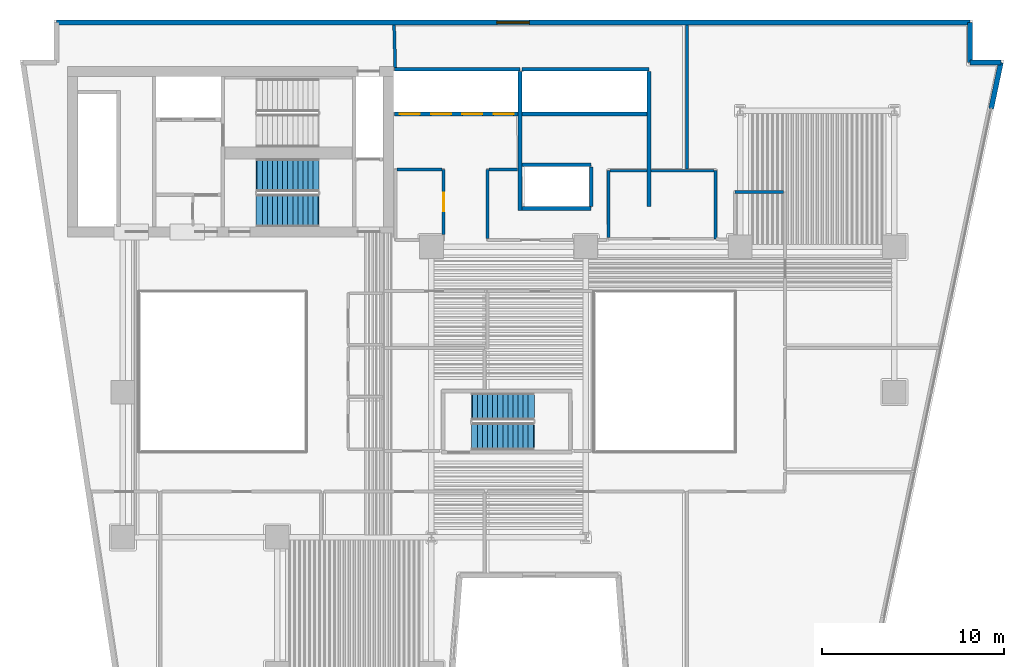
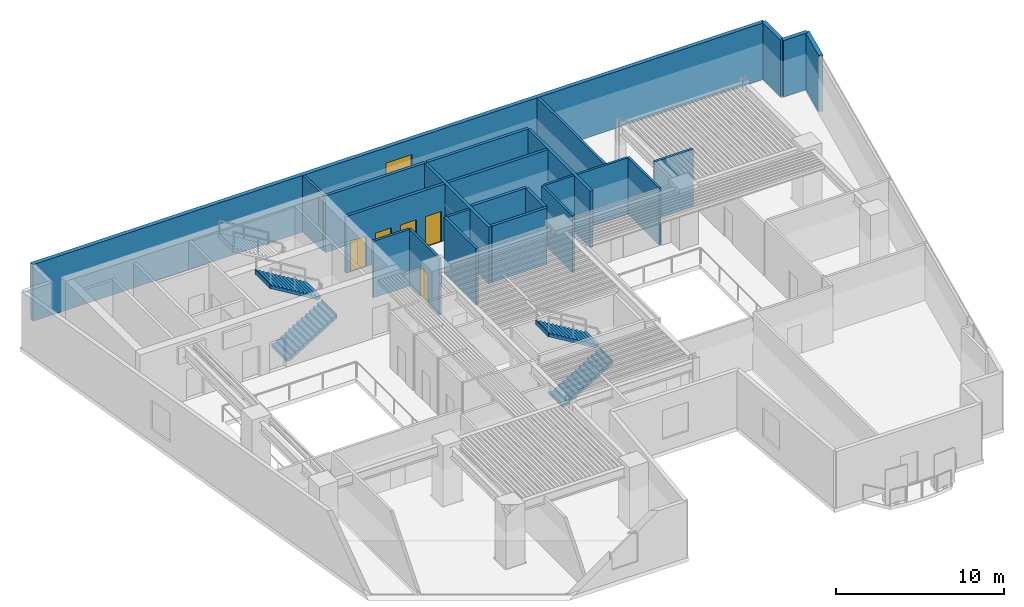
# One storey, part 6 of 12: 24 walls, 5 doors, 4 stair flights, 1 window, 6 openings, 2 elements without a shape of their own.
"""IFC4 building model written with IfcOpenShell, lengths in metres."""

from ifc_helpers import new_model, si_unit, direction, frame, frame_2d, origin, place, context, subcontext, project, spatial, polyline, rectangle, outline, extrude, material, layer, layer_set, type_object, element, fill, aggregate, save


model = new_model("IFC4")

# Units and contexts
model_context = context("Model", 3, precision=1e-05, world=origin(), true_north=direction((0.0, 1.0)))
body_context = subcontext(model_context, "Body", "Model", "MODEL_VIEW")
ifc_project = project(units=[si_unit("LENGTHUNIT", "METRE"), si_unit("AREAUNIT", "SQUARE_METRE"), si_unit("VOLUMEUNIT", "CUBIC_METRE"), si_unit("PLANEANGLEUNIT", "RADIAN"), si_unit("MASSUNIT", "GRAM", prefix="KILO")], contexts=[model_context])

# Site, building, storey
site_placement = place(None, origin())
site = spatial("IfcSite", under=ifc_project, at=site_placement, CompositionType="ELEMENT")
building_placement = place(site_placement, origin())
building = spatial("IfcBuilding", under=site, at=building_placement, Name="Caeloran Harvest Quay", CompositionType="ELEMENT")
storey_placement = place(building_placement, frame((0.0, 0.0, 79.800048828125)))
storey = spatial("IfcBuildingStorey", under=building, at=storey_placement, Name="L18", CompositionType="ELEMENT", Elevation=79.800048828125)

# Wall, opening, window
ifc_material_1 = material(Name="Precast concrete C50/60", Category="concrete")
ifc_layer_1 = layer(ifc_material_1, 0.280029296875, Name="Precast concrete C50/60")
ifc_layer_set_1 = layer_set([ifc_layer_1], Name="Precast concrete C50/60")
wall_type_1 = type_object("IfcWallType", Name="ENV-WALL-EW-280", PredefinedType="STANDARD", material=ifc_layer_set_1)
wall_1_placement = place(storey_placement, frame((4.840087890625, 43.360107421875, 0.0), z_axis=(0.0, 0.0, 1.0), x_axis=(1.0, 0.0, 0.0)))
wall_1 = element("IfcWall", 1, at=wall_1_placement, inside=storey, type_object=wall_type_1, Name="L18 Exterior Precast Concrete Facade Wall 6", PredefinedType="STANDARD", context=body_context, shape_type="SweptSolid", body=[
    extrude(rectangle(XDim=50.31982421875, YDim=0.280029296875, at=frame_2d((25.159912109375, 0.0))), origin(), (0.0, 0.0, 1.0), 4.114990234375),
])
opening_1_placement = place(wall_1_placement, frame((24.260009765625, 0.0, 0.89990234375)))
opening_1 = element("IfcOpeningElement", 2, at=opening_1_placement, cuts=wall_1, Name="Opening W-01", PredefinedType="OPENING", context=body_context, shape_type="SweptSolid", body=[
    extrude(rectangle(XDim=1.800048828125, YDim=2.10009765625, at=frame_2d((0.89990234375, 1.050048828125))), frame((0.0, 0.14990234375, 0.0), z_axis=(0.0, -1.0, 0.0), x_axis=(1.0, 0.0, 0.0)), (0.0, 0.0, 1.0), 0.300048828125),
])
ifc_material_2 = material(Name="Aluminium-Framed Low-E Laminated Glass", Category="aluminium")
window_type = type_object("IfcWindowType", Name="WIN-W-01", PartitioningType="SINGLE_PANEL", PredefinedType="WINDOW", material=ifc_material_2)
window_placement = place(opening_1_placement, origin())
window = element("IfcWindow", 3, at=window_placement, inside=storey, type_object=window_type, Name="L18 Facade Punched Window W-01", OverallHeight=2.10009765625, OverallWidth=1.800048828125, PartitioningType="SINGLE_PANEL", PredefinedType="WINDOW", context=body_context, shape_type="SweptSolid", body=[
    extrude(rectangle(XDim=1.800048828125, YDim=2.10009765625, at=frame_2d((0.89990234375, 1.050048828125))), frame((0.0, 0.030029296875, 0.0), z_axis=(0.0, -1.0, 0.0), x_axis=(1.0, 0.0, 0.0)), (0.0, 0.0, 1.0), 0.06005859375),
])
fill(opening_1, window)

# Walls
wall_2_placement = place(storey_placement, frame((55.159912109375, 43.360107421875, 0.0), z_axis=(0.0, 0.0, 1.0), x_axis=(0.0, -1.0, 0.0)))
element("IfcWall", 4, at=wall_2_placement, inside=storey, type_object=wall_type_1, Name="L18 Exterior Precast Concrete Facade Wall 7", PredefinedType="STANDARD", context=body_context, shape_type="SweptSolid", body=[
    extrude(rectangle(XDim=2.2001953125, YDim=0.280029296875, at=frame_2d((1.10009765625, 0.0))), origin(), (0.0, 0.0, 1.0), 4.114990234375),
])
wall_3_placement = place(storey_placement, frame((55.159912109375, 41.159912109375, 0.0), z_axis=(0.0, 0.0, 1.0), x_axis=(1.0, 0.0, 0.0)))
element("IfcWall", 5, at=wall_3_placement, inside=storey, type_object=wall_type_1, Name="L18 Exterior Precast Concrete Facade Wall 8", PredefinedType="STANDARD", context=body_context, shape_type="SweptSolid", body=[
    extrude(rectangle(XDim=1.705322265625, YDim=0.280029296875, at=frame_2d((0.8525390625, 0.0))), origin(), (0.0, 0.0, 1.0), 4.114990234375),
])
wall_4_placement = place(storey_placement, frame((56.865234375, 41.159912109375, 0.0), z_axis=(0.0, 0.0, 1.0), x_axis=(-0.205551409765, -0.978646319128, 0.0)))
element("IfcWall", 6, at=wall_4_placement, inside=storey, type_object=wall_type_1, Name="L18 Exterior Facade Corner Pier Wall 9A", PredefinedType="STANDARD", context=body_context, shape_type="SweptSolid", body=[
    extrude(rectangle(XDim=2.599853515625, YDim=0.280029296875, at=frame_2d((1.2998046875, 0.0))), origin(), (0.0, 0.0, 1.0), 4.114990234375),
])
ifc_material_3 = material(Name="Autoclaved Aerated Concrete Blockwork and Plasterboard", Category="masonry")
ifc_layer_2 = layer(ifc_material_3, 0.14990234375, Name="Autoclaved Aerated Concrete Blockwork and Plasterboard")
ifc_layer_set_2 = layer_set([ifc_layer_2], Name="Autoclaved Aerated Concrete Blockwork and Plasterboard")
wall_type_2 = type_object("IfcWallType", Name="INT-WALL-PW-150", PredefinedType="PARTITIONING", material=ifc_layer_set_2)
wall_5_placement = place(storey_placement, frame((41.14990234375, 35.199951171875, 0.0), z_axis=(0.0, 0.0, 1.0), x_axis=(0.0, -1.0, 0.0)))
element("IfcWall", 7, at=wall_5_placement, inside=storey, type_object=wall_type_2, Name="L18 Core Telemetry Control Room Partition Wall", PredefinedType="PARTITIONING", context=body_context, shape_type="SweptSolid", body=[
    extrude(rectangle(XDim=3.75, YDim=0.14990234375, at=frame_2d((1.875, 0.0))), origin(), (0.0, 0.0, 1.0), 4.114990234375),
])
wall_6_placement = place(storey_placement, frame((35.25, 31.530029296875, 0.0), z_axis=(0.0, 0.0, 1.0), x_axis=(0.0, 1.0, 0.0)))
element("IfcWall", 8, at=wall_6_placement, inside=storey, type_object=wall_type_2, Name="L18 Core Telemetry Control Room Partition Wall", PredefinedType="PARTITIONING", context=body_context, shape_type="SweptSolid", body=[
    extrude(rectangle(XDim=3.669921875, YDim=0.14990234375, at=frame_2d((1.8349609375, 0.0))), origin(), (0.0, 0.0, 1.0), 4.114990234375),
])
wall_7_placement = place(storey_placement, frame((35.330078125, 35.199951171875, 0.0), z_axis=(0.0, 0.0, 1.0), x_axis=(1.0, 0.0, 0.0)))
element("IfcWall", 9, at=wall_7_placement, inside=storey, type_object=wall_type_2, Name="L18 Core Telemetry Control Room Partition Wall", PredefinedType="PARTITIONING", context=body_context, shape_type="SweptSolid", body=[
    extrude(rectangle(XDim=2.044921875, YDim=0.14990234375, at=frame_2d((1.0224609375, 0.0))), origin(), (0.0, 0.0, 1.0), 4.114990234375),
])
wall_8_placement = place(storey_placement, frame((37.5849609375, 35.199951171875, 0.0), z_axis=(0.0, 0.0, 1.0), x_axis=(1.0, 0.0, 0.0)))
element("IfcWall", 10, at=wall_8_placement, inside=storey, type_object=wall_type_2, Name="L18 Core Telemetry Control Room Partition Wall", PredefinedType="PARTITIONING", context=body_context, shape_type="SweptSolid", body=[
    extrude(rectangle(XDim=3.485107421875, YDim=0.14990234375, at=frame_2d((1.74267578125, 0.0))), origin(), (0.0, 0.0, 1.0), 4.114990234375),
])

# Wall, opening, door
ifc_material_4 = material(Name="Autoclaved Aerated Concrete Blockwork", Category="masonry")
ifc_layer_3 = layer(ifc_material_4, 0.1650390625, Name="Autoclaved Aerated Concrete Blockwork")
ifc_layer_set_3 = layer_set([ifc_layer_3], Name="Autoclaved Aerated Concrete Blockwork")
wall_type_3 = type_object("IfcWallType", Name="INT-WALL-PW-165", PredefinedType="PARTITIONING", material=ifc_layer_set_3)
wall_9_placement = place(storey_placement, frame((26.169921875, 35.27001953125, 0.0), z_axis=(0.0, 0.0, 1.0), x_axis=(0.0, -1.0, 0.0)))
wall_9 = element("IfcWall", 11, at=wall_9_placement, inside=storey, type_object=wall_type_3, Name="Sensory Fermentation Kitchen 10 Partition Wall", PredefinedType="PARTITIONING", context=body_context, shape_type="SweptSolid", body=[
    extrude(rectangle(XDim=3.594970703125, YDim=0.1650390625, at=frame_2d((1.79736328125, 0.0))), origin(), (0.0, 0.0, 1.0), 4.114990234375),
])
opening_2_placement = place(wall_9_placement, frame((1.297607421875, 0.0, 0.0)))
opening_2 = element("IfcOpeningElement", 12, at=opening_2_placement, cuts=wall_9, Name="Opening ID-01", PredefinedType="OPENING", context=body_context, shape_type="SweptSolid", body=[
    extrude(rectangle(XDim=1.0, YDim=2.14990234375, at=frame_2d((0.5, 1.074951171875))), frame((0.0, 0.092529296875, 0.0), z_axis=(0.0, -1.0, 0.0), x_axis=(1.0, 0.0, 0.0)), (0.0, 0.0, 1.0), 0.18505859375),
])
ifc_material_5 = material(Name="FSC Solid-Core Ash Timber and Acoustic Seal", Category="wood")
door_type_1 = type_object("IfcDoorType", Name="INTDOOR-ID-01", OperationType="NOTDEFINED", PredefinedType="DOOR", material=ifc_material_5)
door_1_placement = place(opening_2_placement, origin())
door_1 = element("IfcDoor", 13, at=door_1_placement, inside=storey, type_object=door_type_1, Name="Sensory Fermentation Kitchen 10 Access Door", OperationType="SINGLE_SWING_LEFT", OverallHeight=2.14990234375, OverallWidth=1.0, PredefinedType="DOOR", context=body_context, shape_type="SweptSolid", body=[
    extrude(rectangle(XDim=1.0, YDim=2.14990234375, at=frame_2d((0.5, 1.074951171875))), frame((0.0, 0.02490234375, 0.0), z_axis=(0.0, -1.0, 0.0), x_axis=(1.0, 0.0, 0.0)), (0.0, 0.0, 1.0), 0.050048828125),
])
fill(opening_2, door_1)

# Walls
wall_10_placement = place(storey_placement, frame((23.597412109375, 35.27001953125, 0.0), z_axis=(0.0, 0.0, 1.0), x_axis=(1.0, 0.0, 0.0)))
element("IfcWall", 14, at=wall_10_placement, inside=storey, type_object=wall_type_3, Name="Sensory Fermentation Kitchen 10 Partition Wall", PredefinedType="PARTITIONING", context=body_context, shape_type="SweptSolid", body=[
    extrude(rectangle(XDim=2.485107421875, YDim=0.1650390625, at=frame_2d((1.24267578125, 0.0))), origin(), (0.0, 0.0, 1.0), 4.114990234375),
])
wall_11_placement = place(storey_placement, frame((39.580078125, 35.280029296875, 0.0), z_axis=(0.0, 0.0, 1.0), x_axis=(0.0, 1.0, 0.0)))
element("IfcWall", 15, at=wall_11_placement, inside=storey, type_object=wall_type_3, Name="Gastronomy Seminar Room 11 Partition Wall", PredefinedType="PARTITIONING", context=body_context, shape_type="SweptSolid", body=[
    extrude(rectangle(XDim=7.93505859375, YDim=0.1650390625, at=frame_2d((3.967529296875, 0.0))), origin(), (0.0, 0.0, 1.0), 4.114990234375),
])
wall_12_placement = place(storey_placement, frame((44.892578125, 34.030029296875, 0.0), z_axis=(0.0, 0.0, 1.0), x_axis=(-1.0, 0.0, 0.0)))
element("IfcWall", 16, at=wall_12_placement, inside=storey, type_object=wall_type_3, Name="Gastronomy Seminar Room 11 Partition Wall", PredefinedType="PARTITIONING", context=body_context, shape_type="SweptSolid", body=[
    extrude(rectangle(XDim=2.672607421875, YDim=0.1650390625, at=frame_2d((1.33642578125, 0.0))), origin(), (0.0, 0.0, 1.0), 4.114990234375),
])
wall_13_placement = place(storey_placement, frame((28.580078125, 31.467529296875, 0.0), z_axis=(0.0, 0.0, 1.0), x_axis=(0.0, 1.0, 0.0)))
element("IfcWall", 17, at=wall_13_placement, inside=storey, type_object=wall_type_3, Name="Seed Library Reading Lounge 12 Partition Wall", PredefinedType="PARTITIONING", context=body_context, shape_type="SweptSolid", body=[
    extrude(rectangle(XDim=3.802490234375, YDim=0.1650390625, at=frame_2d((1.9013671875, 0.0))), origin(), (0.0, 0.0, 1.0), 4.114990234375),
])
wall_14_placement = place(storey_placement, frame((28.66748046875, 35.27001953125, 0.0), z_axis=(0.0, 0.0, 1.0), x_axis=(1.0, 0.0, 0.0)))
element("IfcWall", 18, at=wall_14_placement, inside=storey, type_object=wall_type_3, Name="Seed Library Reading Lounge 12 Partition Wall", PredefinedType="PARTITIONING", context=body_context, shape_type="SweptSolid", body=[
    extrude(rectangle(XDim=1.58251953125, YDim=0.1650390625, at=frame_2d((0.791259765625, 0.0))), origin(), (0.0, 0.0, 1.0), 4.114990234375),
])
wall_15_placement = place(storey_placement, frame((23.505615234375, 40.885009765625, 0.0), z_axis=(0.0, 0.0, 1.0), x_axis=(-0.027441464163, 0.999623412113, 0.0)))
element("IfcWall", 19, at=wall_15_placement, inside=storey, type_object=wall_type_3, Name="Seed Library Reading Lounge 12 Partition Wall", PredefinedType="PARTITIONING", context=body_context, shape_type="SweptSolid", body=[
    extrude(rectangle(XDim=2.3310546875, YDim=0.1650390625, at=frame_2d((1.16552734375, 0.0))), origin(), (0.0, 0.0, 1.0), 4.114990234375),
])
ifc_material_6 = material(Name="Concrete C50/60", Category="concrete")
ifc_layer_4 = layer(ifc_material_6, 0.199951171875, Name="Concrete C50/60")
ifc_layer_set_4 = layer_set([ifc_layer_4], Name="Concrete C50/60")
wall_type_4 = type_object("IfcWallType", Name="INT-WALL-SW-200", PredefinedType="PARTITIONING", material=ifc_layer_set_4)
wall_16_placement = place(storey_placement, frame((23.469970703125, 40.780029296875, 0.0), z_axis=(0.0, 0.0, 1.0), x_axis=(1.0, 0.0, 0.0)))
element("IfcWall", 20, at=wall_16_placement, inside=storey, type_object=wall_type_4, Name="L18 Bank 1 Lift Shaft North Wall", PredefinedType="PARTITIONING", context=body_context, shape_type="SweptSolid", body=[
    extrude(rectangle(XDim=6.909912109375, YDim=0.199951171875, at=frame_2d((3.455078125, 0.0))), origin(), (0.0, 0.0, 1.0), 4.114990234375),
])
wall_17_placement = place(storey_placement, frame((30.3798828125, 33.02001953125, 0.0), z_axis=(0.0, 0.0, 1.0), x_axis=(0.0, 1.0, 0.0)))
element("IfcWall", 21, at=wall_17_placement, inside=storey, type_object=wall_type_4, Name="L18 Bank 1 Lift Shaft East Wall", PredefinedType="PARTITIONING", context=body_context, shape_type="SweptSolid", body=[
    extrude(rectangle(XDim=7.639892578125, YDim=0.199951171875, at=frame_2d((3.81982421875, 0.0))), origin(), (0.0, 0.0, 1.0), 4.114990234375),
])

# Wall, openings, doors
wall_18_placement = place(storey_placement, frame((23.469970703125, 38.320068359375, 0.0), z_axis=(0.0, 0.0, 1.0), x_axis=(1.0, 0.0, 0.0)))
wall_18 = element("IfcWall", 22, at=wall_18_placement, inside=storey, type_object=wall_type_4, Name="L18 Bank 1 Lift Landing Front Wall", PredefinedType="PARTITIONING", context=body_context, shape_type="SweptSolid", body=[
    extrude(rectangle(XDim=6.7900390625, YDim=0.199951171875, at=frame_2d((3.39501953125, 0.0))), origin(), (0.0, 0.0, 1.0), 4.114990234375),
])
opening_3_placement = place(wall_18_placement, frame((0.2900390625, 0.0, 0.0)))
opening_3 = element("IfcOpeningElement", 23, at=opening_3_placement, cuts=wall_18, Name="Opening LD-01", PredefinedType="OPENING", context=body_context, shape_type="SweptSolid", body=[
    extrude(rectangle(XDim=1.10009765625, YDim=2.199951171875, at=frame_2d((0.550048828125, 1.10009765625))), frame((0.0, 0.10986328125, 0.0), z_axis=(0.0, -1.0, 0.0), x_axis=(1.0, 0.0, 0.0)), (0.0, 0.0, 1.0), 0.219970703125),
])
opening_4_placement = place(wall_18_placement, frame((2.010009765625, 0.0, 0.0)))
opening_4 = element("IfcOpeningElement", 24, at=opening_4_placement, cuts=wall_18, Name="Opening LD-01", PredefinedType="OPENING", context=body_context, shape_type="SweptSolid", body=[
    extrude(rectangle(XDim=1.10009765625, YDim=2.199951171875, at=frame_2d((0.550048828125, 1.10009765625))), frame((0.0, 0.10986328125, 0.0), z_axis=(0.0, -1.0, 0.0), x_axis=(1.0, 0.0, 0.0)), (0.0, 0.0, 1.0), 0.219970703125),
])
opening_5_placement = place(wall_18_placement, frame((3.72998046875, 0.0, 0.0)))
opening_5 = element("IfcOpeningElement", 25, at=opening_5_placement, cuts=wall_18, Name="Opening LD-01", PredefinedType="OPENING", context=body_context, shape_type="SweptSolid", body=[
    extrude(rectangle(XDim=1.10009765625, YDim=2.199951171875, at=frame_2d((0.550048828125, 1.10009765625))), frame((0.0, 0.10986328125, 0.0), z_axis=(0.0, -1.0, 0.0), x_axis=(1.0, 0.0, 0.0)), (0.0, 0.0, 1.0), 0.219970703125),
])
opening_6_placement = place(wall_18_placement, frame((5.449951171875, 0.0, 0.0)))
opening_6 = element("IfcOpeningElement", 26, at=opening_6_placement, cuts=wall_18, Name="Opening LD-01", PredefinedType="OPENING", context=body_context, shape_type="SweptSolid", body=[
    extrude(rectangle(XDim=1.10009765625, YDim=2.199951171875, at=frame_2d((0.550048828125, 1.10009765625))), frame((0.0, 0.10986328125, 0.0), z_axis=(0.0, -1.0, 0.0), x_axis=(1.0, 0.0, 0.0)), (0.0, 0.0, 1.0), 0.219970703125),
])
ifc_material_7 = material(Name="Stainless Steel Grade 316", Category="steel")
door_type_2 = type_object("IfcDoorType", Name="INTDOOR-LD-01", OperationType="NOTDEFINED", PredefinedType="DOOR", material=ifc_material_7)
door_2_placement = place(opening_3_placement, origin())
door_2 = element("IfcDoor", 27, at=door_2_placement, inside=storey, type_object=door_type_2, Name="Lift P1-1 Sliding Landing Door (L18)", OperationType="DOUBLE_DOOR_SLIDING", OverallHeight=2.199951171875, OverallWidth=1.10009765625, PredefinedType="DOOR", context=body_context, shape_type="SweptSolid", body=[
    extrude(rectangle(XDim=1.10009765625, YDim=2.199951171875, at=frame_2d((0.550048828125, 1.10009765625))), frame((0.0, 0.02490234375, 0.0), z_axis=(0.0, -1.0, 0.0), x_axis=(1.0, 0.0, 0.0)), (0.0, 0.0, 1.0), 0.050048828125),
])
fill(opening_3, door_2)
door_3_placement = place(opening_4_placement, origin())
door_3 = element("IfcDoor", 28, at=door_3_placement, inside=storey, type_object=door_type_2, Name="Lift P1-2 Sliding Landing Door (L18)", OperationType="DOUBLE_DOOR_SLIDING", OverallHeight=2.199951171875, OverallWidth=1.10009765625, PredefinedType="DOOR", context=body_context, shape_type="SweptSolid", body=[
    extrude(rectangle(XDim=1.10009765625, YDim=2.199951171875, at=frame_2d((0.550048828125, 1.10009765625))), frame((0.0, 0.02490234375, 0.0), z_axis=(0.0, -1.0, 0.0), x_axis=(1.0, 0.0, 0.0)), (0.0, 0.0, 1.0), 0.050048828125),
])
fill(opening_4, door_3)
door_4_placement = place(opening_5_placement, origin())
door_4 = element("IfcDoor", 29, at=door_4_placement, inside=storey, type_object=door_type_2, Name="Lift P1-3 Sliding Landing Door (L18)", OperationType="DOUBLE_DOOR_SLIDING", OverallHeight=2.199951171875, OverallWidth=1.10009765625, PredefinedType="DOOR", context=body_context, shape_type="SweptSolid", body=[
    extrude(rectangle(XDim=1.10009765625, YDim=2.199951171875, at=frame_2d((0.550048828125, 1.10009765625))), frame((0.0, 0.02490234375, 0.0), z_axis=(0.0, -1.0, 0.0), x_axis=(1.0, 0.0, 0.0)), (0.0, 0.0, 1.0), 0.050048828125),
])
fill(opening_5, door_4)
door_5_placement = place(opening_6_placement, origin())
door_5 = element("IfcDoor", 30, at=door_5_placement, inside=storey, type_object=door_type_2, Name="Lift P1-4 Sliding Landing Door (L18)", OperationType="DOUBLE_DOOR_SLIDING", OverallHeight=2.199951171875, OverallWidth=1.10009765625, PredefinedType="DOOR", context=body_context, shape_type="SweptSolid", body=[
    extrude(rectangle(XDim=1.10009765625, YDim=2.199951171875, at=frame_2d((0.550048828125, 1.10009765625))), frame((0.0, 0.02490234375, 0.0), z_axis=(0.0, -1.0, 0.0), x_axis=(1.0, 0.0, 0.0)), (0.0, 0.0, 1.0), 0.050048828125),
])
fill(opening_6, door_5)

# Walls
wall_19_placement = place(storey_placement, frame((30.5, 40.780029296875, 0.0), z_axis=(0.0, 0.0, 1.0), x_axis=(1.0, 0.0, 0.0)))
element("IfcWall", 31, at=wall_19_placement, inside=storey, type_object=wall_type_4, Name="L18 Bank 2 Lift Shaft North Wall", PredefinedType="PARTITIONING", context=body_context, shape_type="SweptSolid", body=[
    extrude(rectangle(XDim=6.97998046875, YDim=0.199951171875, at=frame_2d((3.489990234375, 0.0))), origin(), (0.0, 0.0, 1.0), 4.114990234375),
])
wall_20_placement = place(storey_placement, frame((37.47998046875, 33.239990234375, 0.0), z_axis=(0.0, 0.0, 1.0), x_axis=(0.0, 1.0, 0.0)))
element("IfcWall", 32, at=wall_20_placement, inside=storey, type_object=wall_type_4, Name="L18 Bank 2 Lift Shaft East Wall", PredefinedType="PARTITIONING", context=body_context, shape_type="SweptSolid", body=[
    extrude(rectangle(XDim=7.419921875, YDim=0.199951171875, at=frame_2d((3.7099609375, 0.0))), origin(), (0.0, 0.0, 1.0), 4.114990234375),
])
wall_21_placement = place(storey_placement, frame((30.5, 38.320068359375, 0.0), z_axis=(0.0, 0.0, 1.0), x_axis=(1.0, 0.0, 0.0)))
element("IfcWall", 33, at=wall_21_placement, inside=storey, type_object=wall_type_4, Name="L18 Bank 2 Lift Landing Front Wall", PredefinedType="PARTITIONING", context=body_context, shape_type="SweptSolid", body=[
    extrude(rectangle(XDim=6.860107421875, YDim=0.199951171875, at=frame_2d((3.43017578125, 0.0))), origin(), (0.0, 0.0, 1.0), 4.114990234375),
])
for number, where, z_axis, x_axis, name in (
    (34, (30.5, 35.530029296875, 0.0), (0.0, 0.0, 1.0), (1.0, 0.0, 0.0), "L18 Shuttle Lift Landing Front Wall"),
    (35, (30.5, 33.1201171875, 0.0), (0.0, 0.0, 1.0), (1.0, 0.0, 0.0), "L18 Shuttle Lift Shaft South Wall"),
):
    element("IfcWall", number, at=place(storey_placement, frame(where, z_axis=z_axis, x_axis=x_axis)), inside=storey, type_object=wall_type_4, Name=name, PredefinedType="PARTITIONING", context=body_context, shape_type="SweptSolid", body=[
        extrude(rectangle(XDim=3.800048828125, YDim=0.199951171875, at=frame_2d((1.89990234375, 0.0))), origin(), (0.0, 0.0, 1.0), 4.114990234375),
    ])
wall_22_placement = place(storey_placement, frame((34.300048828125, 33.239990234375, 0.0), z_axis=(0.0, 0.0, 1.0), x_axis=(0.0, 1.0, 0.0)))
element("IfcWall", 36, at=wall_22_placement, inside=storey, type_object=wall_type_4, Name="L18 Shuttle Lift Shaft East Wall", PredefinedType="PARTITIONING", context=body_context, shape_type="SweptSolid", body=[
    extrude(rectangle(XDim=2.169921875, YDim=0.199951171875, at=frame_2d((1.0849609375, 0.0))), origin(), (0.0, 0.0, 1.0), 4.114990234375),
])

# Stair, stair flights
stair_type_1 = type_object("IfcStairType", Name="STAIR-STC-180", PredefinedType="HALF_TURN_STAIR", material=ifc_material_6)
stair_1_placement = place(storey_placement, origin())
stair_1 = element("IfcStair", 37, at=stair_1_placement, inside=storey, type_object=stair_type_1, Name="L18 Core Pressurized Exit Stair ST-C2", PredefinedType="HALF_TURN_STAIR")
stair_flight_type_1 = type_object("IfcStairFlightType", Name="FLIGHT-STC-180", PredefinedType="STRAIGHT", material=ifc_material_6)
stair_flight_1_placement = place(storey_placement, frame((15.89990234375, 33.0, 0.0), z_axis=(0.0, 0.0, 1.0), x_axis=(1.0, 0.0, 0.0)))
stair_flight_1 = element("IfcStairFlight", 38, at=stair_flight_1_placement, type_object=stair_flight_type_1, Name="ST-C2 flight 1", NumberOfRisers=13, NumberOfTreads=12, PredefinedType="STRAIGHT", RiserHeight=0.169230769, TreadLength=0.28, context=body_context, shape_type="SweptSolid", body=[
    extrude(outline(polyline([(-0.054931640625, -0.044921875), (-0.054931640625, -0.031494140625), (-0.054931640625, -0.018310546875), (-0.054931640625, -0.0048828125), (-0.054931640625, 0.008544921875), (-0.054931640625, 0.02197265625), (-0.054931640625, 0.035400390625), (-0.054931640625, 0.048828125), (-0.054931640625, 0.06201171875), (-0.054931640625, 0.075439453125), (-0.054931640625, 0.0888671875), (-0.054931640625, 0.102294921875), (-0.054931640625, 0.11572265625), (-0.054931640625, 0.129150390625), (-0.054931640625, 0.142333984375), (-0.054931640625, 0.15576171875), (-0.054931640625, 0.169189453125), (0.280029296875, 0.169189453125), (0.280029296875, 0.33837890625), (0.56005859375, 0.33837890625), (0.56005859375, 0.5078125), (0.840087890625, 0.5078125), (0.840087890625, 0.677001953125), (1.1201171875, 0.677001953125), (1.1201171875, 0.84619140625), (1.39990234375, 0.84619140625), (1.39990234375, 1.015380859375), (1.679931640625, 1.015380859375), (1.679931640625, 1.1845703125), (1.9599609375, 1.1845703125), (1.9599609375, 1.353759765625), (2.239990234375, 1.353759765625), (2.239990234375, 1.523193359375), (2.52001953125, 1.523193359375), (2.52001953125, 1.6923828125), (2.800048828125, 1.6923828125), (2.800048828125, 1.861572265625), (3.080078125, 1.861572265625), (3.080078125, 2.03076171875), (3.360107421875, 2.03076171875), (3.360107421875, 2.199951171875), (3.4150390625, 2.199951171875), (3.4150390625, 2.178466796875), (3.4150390625, 2.156982421875), (3.4150390625, 2.135498046875), (3.4150390625, 2.114013671875), (3.4150390625, 2.09228515625), (3.4150390625, 2.07080078125), (3.4150390625, 2.04931640625), (3.4150390625, 2.02783203125), (3.4150390625, 2.00634765625), (3.4150390625, 1.98486328125), (3.4150390625, 1.963134765625), (3.4150390625, 1.941650390625), (3.4150390625, 1.920166015625), (3.4150390625, 1.898681640625), (3.4150390625, 1.877197265625), (3.4150390625, 1.855712890625), (3.360107421875, 1.855712890625), (0.21533203125, -0.044921875), (-0.054931640625, -0.044921875)])), frame((0.0, 0.89990234375, 0.0), z_axis=(0.0, -1.0, 0.0), x_axis=(1.0, 0.0, 0.0)), (0.0, 0.0, 1.0), 1.800048828125),
])
stair_flight_2_placement = place(storey_placement, frame((19.260009765625, 34.949951171875, 2.199951171875), z_axis=(0.0, 0.0, 1.0), x_axis=(-1.0, 0.0, 0.0)))
stair_flight_2 = element("IfcStairFlight", 39, at=stair_flight_2_placement, type_object=stair_flight_type_1, Name="ST-C2 flight 2", NumberOfRisers=13, NumberOfTreads=12, PredefinedType="STRAIGHT", RiserHeight=0.169230769, TreadLength=0.28, context=body_context, shape_type="SweptSolid", body=[
    extrude(outline(polyline([(-0.054931640625, -0.044921875), (-0.054931640625, -0.031494140625), (-0.054931640625, -0.018310546875), (-0.054931640625, -0.0048828125), (-0.054931640625, 0.008544921875), (-0.054931640625, 0.02197265625), (-0.054931640625, 0.035400390625), (-0.054931640625, 0.048828125), (-0.054931640625, 0.06201171875), (-0.054931640625, 0.075439453125), (-0.054931640625, 0.0888671875), (-0.054931640625, 0.102294921875), (-0.054931640625, 0.11572265625), (-0.054931640625, 0.129150390625), (-0.054931640625, 0.142333984375), (-0.054931640625, 0.15576171875), (-0.054931640625, 0.169189453125), (0.280029296875, 0.169189453125), (0.280029296875, 0.33837890625), (0.56005859375, 0.33837890625), (0.56005859375, 0.5078125), (0.840087890625, 0.5078125), (0.840087890625, 0.677001953125), (1.1201171875, 0.677001953125), (1.1201171875, 0.84619140625), (1.39990234375, 0.84619140625), (1.39990234375, 1.015380859375), (1.679931640625, 1.015380859375), (1.679931640625, 1.1845703125), (1.9599609375, 1.1845703125), (1.9599609375, 1.353759765625), (2.239990234375, 1.353759765625), (2.239990234375, 1.523193359375), (2.52001953125, 1.523193359375), (2.52001953125, 1.6923828125), (2.800048828125, 1.6923828125), (2.800048828125, 1.861572265625), (3.080078125, 1.861572265625), (3.080078125, 2.03076171875), (3.360107421875, 2.03076171875), (3.360107421875, 2.199951171875), (3.4150390625, 2.199951171875), (3.4150390625, 2.178466796875), (3.4150390625, 2.156982421875), (3.4150390625, 2.135498046875), (3.4150390625, 2.114013671875), (3.4150390625, 2.09228515625), (3.4150390625, 2.07080078125), (3.4150390625, 2.04931640625), (3.4150390625, 2.02783203125), (3.4150390625, 2.00634765625), (3.4150390625, 1.98486328125), (3.4150390625, 1.963134765625), (3.4150390625, 1.941650390625), (3.4150390625, 1.920166015625), (3.4150390625, 1.898681640625), (3.4150390625, 1.877197265625), (3.4150390625, 1.855712890625), (3.360107421875, 1.855712890625), (0.21533203125, -0.044921875), (-0.054931640625, -0.044921875)])), frame((0.0, 0.89990234375, 0.0), z_axis=(0.0, -1.0, 0.0), x_axis=(1.0, 0.0, 0.0)), (0.0, 0.0, 1.0), 1.800048828125),
])
aggregate(stair_1, [stair_flight_1, stair_flight_2])

stair_type_2 = type_object("IfcStairType", Name="STAIR-STW-150", PredefinedType="HALF_TURN_STAIR", material=ifc_material_6)
stair_2_placement = place(storey_placement, origin())
stair_2 = element("IfcStair", 40, at=stair_2_placement, inside=storey, type_object=stair_type_2, Name="L18 East Wing Protected Exit Stair ST-W1", PredefinedType="HALF_TURN_STAIR")
stair_flight_type_2 = type_object("IfcStairFlightType", Name="FLIGHT-STW-150", PredefinedType="STRAIGHT", material=ifc_material_6)
stair_flight_3_placement = place(storey_placement, frame((27.75, 20.550048828125, 0.0), z_axis=(0.0, 0.0, 1.0), x_axis=(1.0, 0.0, 0.0)))
stair_flight_3 = element("IfcStairFlight", 41, at=stair_flight_3_placement, type_object=stair_flight_type_2, Name="ST-W1 flight 1", NumberOfRisers=13, NumberOfTreads=12, PredefinedType="STRAIGHT", RiserHeight=0.169230769, TreadLength=0.28, context=body_context, shape_type="SweptSolid", body=[
    extrude(outline(polyline([(-0.054931640625, -0.044921875), (-0.054931640625, -0.031494140625), (-0.054931640625, -0.018310546875), (-0.054931640625, -0.0048828125), (-0.054931640625, 0.008544921875), (-0.054931640625, 0.02197265625), (-0.054931640625, 0.035400390625), (-0.054931640625, 0.048828125), (-0.054931640625, 0.06201171875), (-0.054931640625, 0.075439453125), (-0.054931640625, 0.0888671875), (-0.054931640625, 0.102294921875), (-0.054931640625, 0.11572265625), (-0.054931640625, 0.129150390625), (-0.054931640625, 0.142333984375), (-0.054931640625, 0.15576171875), (-0.054931640625, 0.169189453125), (0.280029296875, 0.169189453125), (0.280029296875, 0.33837890625), (0.56005859375, 0.33837890625), (0.56005859375, 0.5078125), (0.840087890625, 0.5078125), (0.840087890625, 0.677001953125), (1.1201171875, 0.677001953125), (1.1201171875, 0.84619140625), (1.39990234375, 0.84619140625), (1.39990234375, 1.015380859375), (1.679931640625, 1.015380859375), (1.679931640625, 1.1845703125), (1.9599609375, 1.1845703125), (1.9599609375, 1.353759765625), (2.239990234375, 1.353759765625), (2.239990234375, 1.523193359375), (2.52001953125, 1.523193359375), (2.52001953125, 1.6923828125), (2.800048828125, 1.6923828125), (2.800048828125, 1.861572265625), (3.080078125, 1.861572265625), (3.080078125, 2.03076171875), (3.360107421875, 2.03076171875), (3.360107421875, 2.199951171875), (3.4150390625, 2.199951171875), (3.4150390625, 2.178466796875), (3.4150390625, 2.156982421875), (3.4150390625, 2.135498046875), (3.4150390625, 2.114013671875), (3.4150390625, 2.09228515625), (3.4150390625, 2.07080078125), (3.4150390625, 2.04931640625), (3.4150390625, 2.02783203125), (3.4150390625, 2.00634765625), (3.4150390625, 1.98486328125), (3.4150390625, 1.963134765625), (3.4150390625, 1.941650390625), (3.4150390625, 1.920166015625), (3.4150390625, 1.898681640625), (3.4150390625, 1.877197265625), (3.4150390625, 1.855712890625), (3.360107421875, 1.855712890625), (0.21533203125, -0.044921875), (-0.054931640625, -0.044921875)])), frame((0.0, 0.75, 0.0), z_axis=(0.0, -1.0, 0.0), x_axis=(1.0, 0.0, 0.0)), (0.0, 0.0, 1.0), 1.5),
])
stair_flight_4_placement = place(storey_placement, frame((31.110107421875, 22.199951171875, 2.199951171875), z_axis=(0.0, 0.0, 1.0), x_axis=(-1.0, 0.0, 0.0)))
stair_flight_4 = element("IfcStairFlight", 42, at=stair_flight_4_placement, type_object=stair_flight_type_2, Name="ST-W1 flight 2", NumberOfRisers=13, NumberOfTreads=12, PredefinedType="STRAIGHT", RiserHeight=0.169230769, TreadLength=0.28, context=body_context, shape_type="SweptSolid", body=[
    extrude(outline(polyline([(-0.054931640625, -0.044921875), (-0.054931640625, -0.031494140625), (-0.054931640625, -0.018310546875), (-0.054931640625, -0.0048828125), (-0.054931640625, 0.008544921875), (-0.054931640625, 0.02197265625), (-0.054931640625, 0.035400390625), (-0.054931640625, 0.048828125), (-0.054931640625, 0.06201171875), (-0.054931640625, 0.075439453125), (-0.054931640625, 0.0888671875), (-0.054931640625, 0.102294921875), (-0.054931640625, 0.11572265625), (-0.054931640625, 0.129150390625), (-0.054931640625, 0.142333984375), (-0.054931640625, 0.15576171875), (-0.054931640625, 0.169189453125), (0.280029296875, 0.169189453125), (0.280029296875, 0.33837890625), (0.56005859375, 0.33837890625), (0.56005859375, 0.5078125), (0.840087890625, 0.5078125), (0.840087890625, 0.677001953125), (1.1201171875, 0.677001953125), (1.1201171875, 0.84619140625), (1.39990234375, 0.84619140625), (1.39990234375, 1.015380859375), (1.679931640625, 1.015380859375), (1.679931640625, 1.1845703125), (1.9599609375, 1.1845703125), (1.9599609375, 1.353759765625), (2.239990234375, 1.353759765625), (2.239990234375, 1.523193359375), (2.52001953125, 1.523193359375), (2.52001953125, 1.6923828125), (2.800048828125, 1.6923828125), (2.800048828125, 1.861572265625), (3.080078125, 1.861572265625), (3.080078125, 2.03076171875), (3.360107421875, 2.03076171875), (3.360107421875, 2.199951171875), (3.4150390625, 2.199951171875), (3.4150390625, 2.178466796875), (3.4150390625, 2.156982421875), (3.4150390625, 2.135498046875), (3.4150390625, 2.114013671875), (3.4150390625, 2.09228515625), (3.4150390625, 2.07080078125), (3.4150390625, 2.04931640625), (3.4150390625, 2.02783203125), (3.4150390625, 2.00634765625), (3.4150390625, 1.98486328125), (3.4150390625, 1.963134765625), (3.4150390625, 1.941650390625), (3.4150390625, 1.920166015625), (3.4150390625, 1.898681640625), (3.4150390625, 1.877197265625), (3.4150390625, 1.855712890625), (3.360107421875, 1.855712890625), (0.21533203125, -0.044921875), (-0.054931640625, -0.044921875)])), frame((0.0, 0.75, 0.0), z_axis=(0.0, -1.0, 0.0), x_axis=(1.0, 0.0, 0.0)), (0.0, 0.0, 1.0), 1.5),
])
aggregate(stair_2, [stair_flight_3, stair_flight_4])

save(model, "model.ifc")
